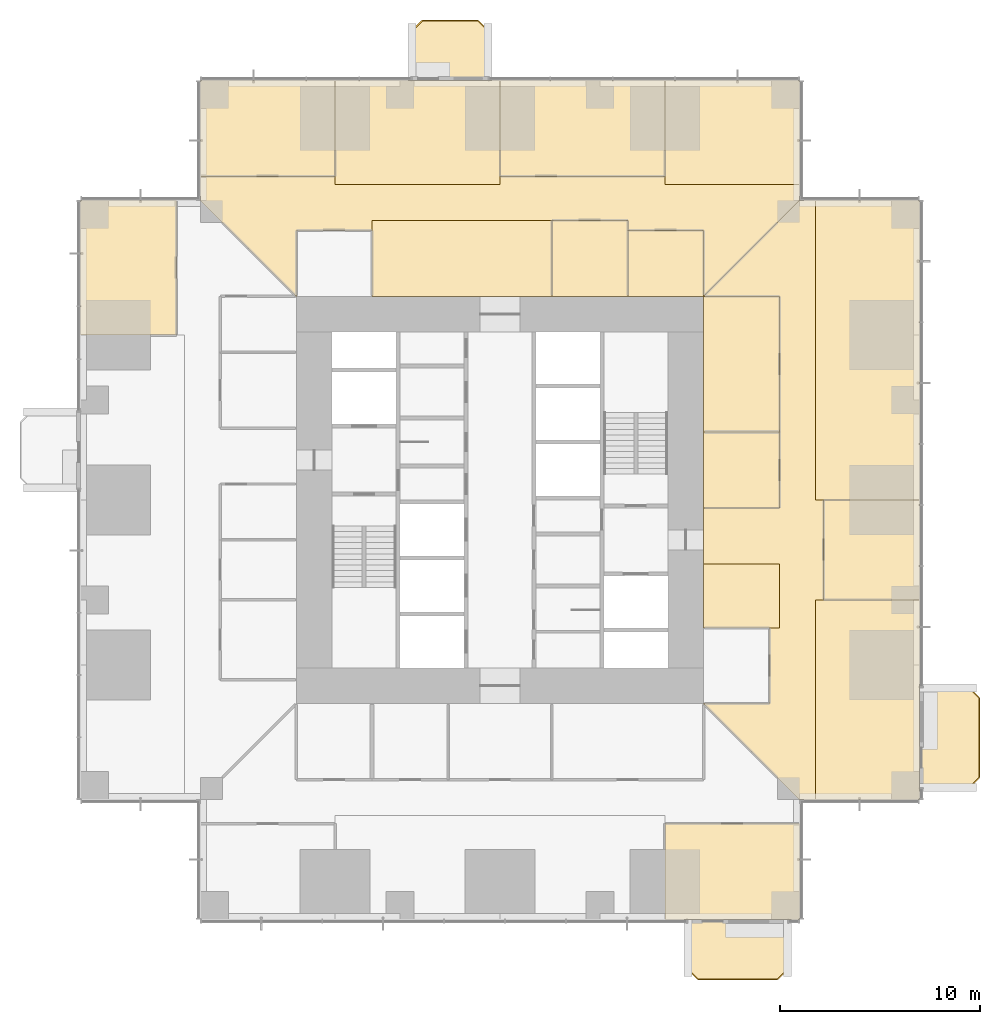
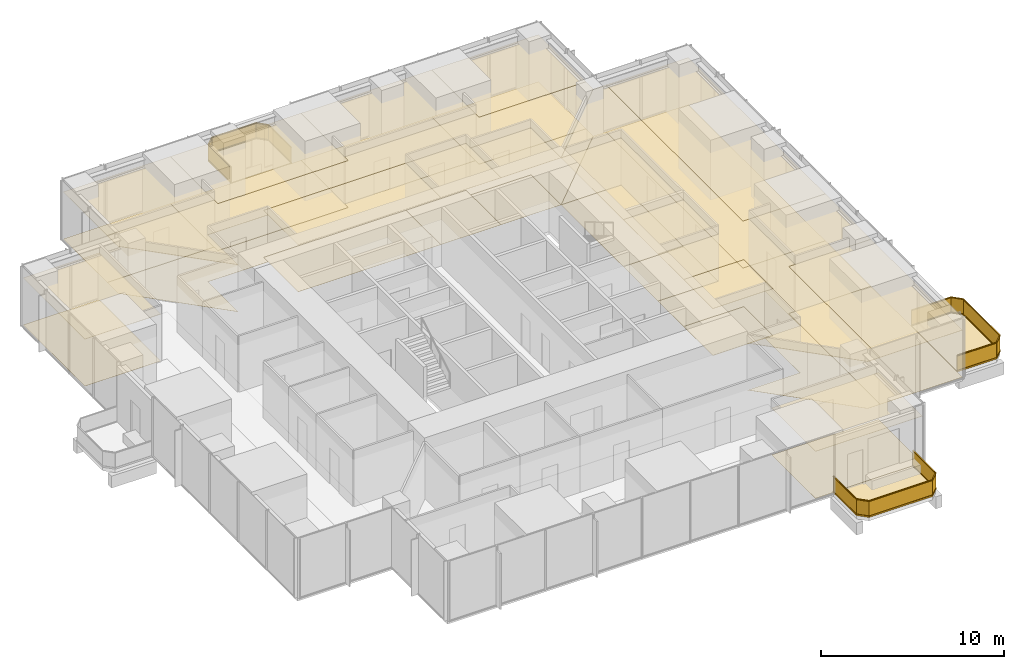
# One storey, part 14 of 15: 37 coverings, 3 railings.
"""IFC4 building model written with IfcOpenShell, lengths in metres."""

from ifc_helpers import new_model, si_unit, direction, frame, origin, origin_2d, place, context, subcontext, project, spatial, polyline, rectangle, outline, extrude, material, layer, layer_set, type_object, element, save


model = new_model("IFC4")

# Units and contexts
model_context = context("Model", 3, precision=1e-05, world=origin(), true_north=direction((0.0, 1.0)))
body_context = subcontext(model_context, "Body", "Model", "MODEL_VIEW")
ifc_project = project(units=[si_unit("LENGTHUNIT", "METRE"), si_unit("AREAUNIT", "SQUARE_METRE"), si_unit("VOLUMEUNIT", "CUBIC_METRE"), si_unit("PLANEANGLEUNIT", "RADIAN"), si_unit("MASSUNIT", "GRAM", prefix="KILO")], contexts=[model_context])

# Site, building, storey
site_placement = place(None, origin())
site = spatial("IfcSite", under=ifc_project, at=site_placement, CompositionType="ELEMENT")
building_placement = place(site_placement, origin())
building = spatial("IfcBuilding", under=site, at=building_placement, Name="Svetlomir Tower", CompositionType="ELEMENT")
storey_placement = place(building_placement, frame((0.0, 0.0, 74.5)))
storey = spatial("IfcBuildingStorey", under=building, at=storey_placement, Name="L17", CompositionType="ELEMENT", Elevation=74.5)

# Railings
ifc_material_1 = material(Name="Bronze anodised aluminium and laminated glass", Category="aluminium")
railing_type = type_object("IfcRailingType", Name="BALCONY GUARD GR1 1100", PredefinedType="GUARDRAIL", material=ifc_material_1)
railing_1_placement = place(storey_placement, frame((30.39990234375, 0.0, 0.0)))
element("IfcRailing", 1, at=railing_1_placement, inside=storey, type_object=railing_type, Name="Balcony guard S L17", PredefinedType="GUARDRAIL", context=body_context, shape_type="SweptSolid", body=[
    extrude(rectangle(XDim=0.06005859375, YDim=0.10009765625, at=origin_2d()), frame((0.0, 0.0, 0.050048828125), z_axis=(0.0, -1.0, 0.0), x_axis=(1.0, 0.0, 0.0)), (0.0, 0.0, 1.0), 2.5),
    extrude(rectangle(XDim=0.021484375, YDim=0.960205078125, at=origin_2d()), frame((0.0, 0.0, 0.580078125), z_axis=(0.0, -1.0, 0.0), x_axis=(1.0, 0.0, 0.0)), (0.0, 0.0, 1.0), 2.5),
    extrude(rectangle(XDim=0.06005859375, YDim=0.0400390625, at=origin_2d()), frame((0.0, 0.0, 1.080078125), z_axis=(0.0, -1.0, 0.0), x_axis=(1.0, 0.0, 0.0)), (0.0, 0.0, 1.0), 2.5),
    extrude(rectangle(XDim=0.06005859375, YDim=0.10009765625, at=origin_2d()), frame((0.0, -2.5, 0.050048828125), z_axis=(0.707106781187, -0.707106781187, 0.0), x_axis=(0.707106781187, 0.707106781187, 0.0)), (0.0, 0.0, 1.0), 0.70703125),
    extrude(rectangle(XDim=0.021484375, YDim=0.960205078125, at=origin_2d()), frame((0.0, -2.5, 0.580078125), z_axis=(0.707106781187, -0.707106781187, 0.0), x_axis=(0.707106781187, 0.707106781187, 0.0)), (0.0, 0.0, 1.0), 0.70703125),
    extrude(rectangle(XDim=0.06005859375, YDim=0.0400390625, at=origin_2d()), frame((0.0, -2.5, 1.080078125), z_axis=(0.707106781187, -0.707106781187, 0.0), x_axis=(0.707106781187, 0.707106781187, 0.0)), (0.0, 0.0, 1.0), 0.70703125),
    extrude(rectangle(XDim=0.06005859375, YDim=0.10009765625, at=origin_2d()), frame((0.5, -3.0, 0.050048828125), z_axis=(1.0, 0.0, 0.0), x_axis=(0.0, 1.0, 0.0)), (0.0, 0.0, 1.0), 4.0),
    extrude(rectangle(XDim=0.021484375, YDim=0.960205078125, at=origin_2d()), frame((0.5, -3.0, 0.580078125), z_axis=(1.0, 0.0, 0.0), x_axis=(0.0, 1.0, 0.0)), (0.0, 0.0, 1.0), 4.0),
    extrude(rectangle(XDim=0.06005859375, YDim=0.0400390625, at=origin_2d()), frame((0.5, -3.0, 1.080078125), z_axis=(1.0, 0.0, 0.0), x_axis=(0.0, 1.0, 0.0)), (0.0, 0.0, 1.0), 4.0),
    extrude(rectangle(XDim=0.06005859375, YDim=0.10009765625, at=origin_2d()), frame((4.5, -3.0, 0.050048828125), z_axis=(0.707106781187, 0.707106781187, 0.0), x_axis=(-0.707106781187, 0.707106781187, 0.0)), (0.0, 0.0, 1.0), 0.70703125),
    extrude(rectangle(XDim=0.021484375, YDim=0.960205078125, at=origin_2d()), frame((4.5, -3.0, 0.580078125), z_axis=(0.707106781187, 0.707106781187, 0.0), x_axis=(-0.707106781187, 0.707106781187, 0.0)), (0.0, 0.0, 1.0), 0.70703125),
    extrude(rectangle(XDim=0.06005859375, YDim=0.0400390625, at=origin_2d()), frame((4.5, -3.0, 1.080078125), z_axis=(0.707106781187, 0.707106781187, 0.0), x_axis=(-0.707106781187, 0.707106781187, 0.0)), (0.0, 0.0, 1.0), 0.70703125),
    extrude(rectangle(XDim=0.06005859375, YDim=0.10009765625, at=origin_2d()), frame((5.0, -2.5, 0.050048828125), z_axis=(0.0, 1.0, 0.0), x_axis=(-1.0, 0.0, 0.0)), (0.0, 0.0, 1.0), 2.5),
    extrude(rectangle(XDim=0.021484375, YDim=0.960205078125, at=origin_2d()), frame((5.0, -2.5, 0.580078125), z_axis=(0.0, 1.0, 0.0), x_axis=(-1.0, 0.0, 0.0)), (0.0, 0.0, 1.0), 2.5),
    extrude(rectangle(XDim=0.06005859375, YDim=0.0400390625, at=origin_2d()), frame((5.0, -2.5, 1.080078125), z_axis=(0.0, 1.0, 0.0), x_axis=(-1.0, 0.0, 0.0)), (0.0, 0.0, 1.0), 2.5),
])
railing_2_placement = place(storey_placement, frame((42.0, 6.60009765625, 0.0)))
element("IfcRailing", 2, at=railing_2_placement, inside=storey, type_object=railing_type, Name="Balcony guard E L17", PredefinedType="GUARDRAIL", context=body_context, shape_type="SweptSolid", body=[
    extrude(rectangle(XDim=0.06005859375, YDim=0.10009765625, at=origin_2d()), frame((0.0, 0.0, 0.050048828125), z_axis=(1.0, 0.0, 0.0), x_axis=(0.0, 1.0, 0.0)), (0.0, 0.0, 1.0), 2.5),
    extrude(rectangle(XDim=0.021484375, YDim=0.960205078125, at=origin_2d()), frame((0.0, 0.0, 0.580078125), z_axis=(1.0, 0.0, 0.0), x_axis=(0.0, 1.0, 0.0)), (0.0, 0.0, 1.0), 2.5),
    extrude(rectangle(XDim=0.06005859375, YDim=0.0400390625, at=origin_2d()), frame((0.0, 0.0, 1.080078125), z_axis=(1.0, 0.0, 0.0), x_axis=(0.0, 1.0, 0.0)), (0.0, 0.0, 1.0), 2.5),
    extrude(rectangle(XDim=0.06005859375, YDim=0.10009765625, at=origin_2d()), frame((2.5, 0.0, 0.050048828125), z_axis=(0.707106781187, 0.707106781187, 0.0), x_axis=(-0.707106781187, 0.707106781187, 0.0)), (0.0, 0.0, 1.0), 0.70703125),
    extrude(rectangle(XDim=0.021484375, YDim=0.960205078125, at=origin_2d()), frame((2.5, 0.0, 0.580078125), z_axis=(0.707106781187, 0.707106781187, 0.0), x_axis=(-0.707106781187, 0.707106781187, 0.0)), (0.0, 0.0, 1.0), 0.70703125),
    extrude(rectangle(XDim=0.06005859375, YDim=0.0400390625, at=origin_2d()), frame((2.5, 0.0, 1.080078125), z_axis=(0.707106781187, 0.707106781187, 0.0), x_axis=(-0.707106781187, 0.707106781187, 0.0)), (0.0, 0.0, 1.0), 0.70703125),
    extrude(rectangle(XDim=0.06005859375, YDim=0.10009765625, at=origin_2d()), frame((3.0, 0.5, 0.050048828125), z_axis=(0.0, 1.0, 0.0), x_axis=(-1.0, 0.0, 0.0)), (0.0, 0.0, 1.0), 4.0),
    extrude(rectangle(XDim=0.021484375, YDim=0.960205078125, at=origin_2d()), frame((3.0, 0.5, 0.580078125), z_axis=(0.0, 1.0, 0.0), x_axis=(-1.0, 0.0, 0.0)), (0.0, 0.0, 1.0), 4.0),
    extrude(rectangle(XDim=0.06005859375, YDim=0.0400390625, at=origin_2d()), frame((3.0, 0.5, 1.080078125), z_axis=(0.0, 1.0, 0.0), x_axis=(-1.0, 0.0, 0.0)), (0.0, 0.0, 1.0), 4.0),
    extrude(rectangle(XDim=0.06005859375, YDim=0.10009765625, at=origin_2d()), frame((3.0, 4.5, 0.050048828125), z_axis=(-0.707106781187, 0.707106781187, 0.0), x_axis=(-0.707106781187, -0.707106781187, 0.0)), (0.0, 0.0, 1.0), 0.70703125),
    extrude(rectangle(XDim=0.021484375, YDim=0.960205078125, at=origin_2d()), frame((3.0, 4.5, 0.580078125), z_axis=(-0.707106781187, 0.707106781187, 0.0), x_axis=(-0.707106781187, -0.707106781187, 0.0)), (0.0, 0.0, 1.0), 0.70703125),
    extrude(rectangle(XDim=0.06005859375, YDim=0.0400390625, at=origin_2d()), frame((3.0, 4.5, 1.080078125), z_axis=(-0.707106781187, 0.707106781187, 0.0), x_axis=(-0.707106781187, -0.707106781187, 0.0)), (0.0, 0.0, 1.0), 0.70703125),
    extrude(rectangle(XDim=0.06005859375, YDim=0.10009765625, at=origin_2d()), frame((2.5, 5.0, 0.050048828125), z_axis=(-1.0, 0.0, 0.0), x_axis=(0.0, -1.0, 0.0)), (0.0, 0.0, 1.0), 2.5),
    extrude(rectangle(XDim=0.021484375, YDim=0.960205078125, at=origin_2d()), frame((2.5, 5.0, 0.580078125), z_axis=(-1.0, 0.0, 0.0), x_axis=(0.0, -1.0, 0.0)), (0.0, 0.0, 1.0), 2.5),
    extrude(rectangle(XDim=0.06005859375, YDim=0.0400390625, at=origin_2d()), frame((2.5, 5.0, 1.080078125), z_axis=(-1.0, 0.0, 0.0), x_axis=(0.0, -1.0, 0.0)), (0.0, 0.0, 1.0), 2.5),
])
railing_3_placement = place(storey_placement, frame((20.39990234375, 42.0, 0.0)))
element("IfcRailing", 3, at=railing_3_placement, inside=storey, type_object=railing_type, Name="Balcony guard N L17", PredefinedType="GUARDRAIL", context=body_context, shape_type="SweptSolid", body=[
    extrude(rectangle(XDim=0.06005859375, YDim=0.10009765625, at=origin_2d()), frame((0.0, 0.0, 0.050048828125), z_axis=(0.0, 1.0, 0.0), x_axis=(-1.0, 0.0, 0.0)), (0.0, 0.0, 1.0), 2.5),
    extrude(rectangle(XDim=0.021484375, YDim=0.960205078125, at=origin_2d()), frame((0.0, 0.0, 0.580078125), z_axis=(0.0, 1.0, 0.0), x_axis=(-1.0, 0.0, 0.0)), (0.0, 0.0, 1.0), 2.5),
    extrude(rectangle(XDim=0.06005859375, YDim=0.0400390625, at=origin_2d()), frame((0.0, 0.0, 1.080078125), z_axis=(0.0, 1.0, 0.0), x_axis=(-1.0, 0.0, 0.0)), (0.0, 0.0, 1.0), 2.5),
    extrude(rectangle(XDim=0.06005859375, YDim=0.10009765625, at=origin_2d()), frame((0.0, 2.5, 0.050048828125), z_axis=(-0.707106781187, 0.707106781187, 0.0), x_axis=(-0.707106781187, -0.707106781187, 0.0)), (0.0, 0.0, 1.0), 0.70703125),
    extrude(rectangle(XDim=0.021484375, YDim=0.960205078125, at=origin_2d()), frame((0.0, 2.5, 0.580078125), z_axis=(-0.707106781187, 0.707106781187, 0.0), x_axis=(-0.707106781187, -0.707106781187, 0.0)), (0.0, 0.0, 1.0), 0.70703125),
    extrude(rectangle(XDim=0.06005859375, YDim=0.0400390625, at=origin_2d()), frame((0.0, 2.5, 1.080078125), z_axis=(-0.707106781187, 0.707106781187, 0.0), x_axis=(-0.707106781187, -0.707106781187, 0.0)), (0.0, 0.0, 1.0), 0.70703125),
    extrude(rectangle(XDim=0.06005859375, YDim=0.10009765625, at=origin_2d()), frame((-0.5, 3.0, 0.050048828125), z_axis=(-1.0, 0.0, 0.0), x_axis=(0.0, -1.0, 0.0)), (0.0, 0.0, 1.0), 2.7998046875),
    extrude(rectangle(XDim=0.021484375, YDim=0.960205078125, at=origin_2d()), frame((-0.5, 3.0, 0.580078125), z_axis=(-1.0, 0.0, 0.0), x_axis=(0.0, -1.0, 0.0)), (0.0, 0.0, 1.0), 2.7998046875),
    extrude(rectangle(XDim=0.06005859375, YDim=0.0400390625, at=origin_2d()), frame((-0.5, 3.0, 1.080078125), z_axis=(-1.0, 0.0, 0.0), x_axis=(0.0, -1.0, 0.0)), (0.0, 0.0, 1.0), 2.7998046875),
    extrude(rectangle(XDim=0.06005859375, YDim=0.10009765625, at=origin_2d()), frame((-3.2998046875, 3.0, 0.050048828125), z_axis=(-0.707106781187, -0.707106781187, 0.0), x_axis=(0.707106781187, -0.707106781187, 0.0)), (0.0, 0.0, 1.0), 0.70703125),
    extrude(rectangle(XDim=0.021484375, YDim=0.960205078125, at=origin_2d()), frame((-3.2998046875, 3.0, 0.580078125), z_axis=(-0.707106781187, -0.707106781187, 0.0), x_axis=(0.707106781187, -0.707106781187, 0.0)), (0.0, 0.0, 1.0), 0.70703125),
    extrude(rectangle(XDim=0.06005859375, YDim=0.0400390625, at=origin_2d()), frame((-3.2998046875, 3.0, 1.080078125), z_axis=(-0.707106781187, -0.707106781187, 0.0), x_axis=(0.707106781187, -0.707106781187, 0.0)), (0.0, 0.0, 1.0), 0.70703125),
    extrude(rectangle(XDim=0.06005859375, YDim=0.10009765625, at=origin_2d()), frame((-3.7998046875, 2.5, 0.050048828125), z_axis=(0.0, -1.0, 0.0), x_axis=(1.0, 0.0, 0.0)), (0.0, 0.0, 1.0), 2.5),
    extrude(rectangle(XDim=0.021484375, YDim=0.960205078125, at=origin_2d()), frame((-3.7998046875, 2.5, 0.580078125), z_axis=(0.0, -1.0, 0.0), x_axis=(1.0, 0.0, 0.0)), (0.0, 0.0, 1.0), 2.5),
    extrude(rectangle(XDim=0.06005859375, YDim=0.0400390625, at=origin_2d()), frame((-3.7998046875, 2.5, 1.080078125), z_axis=(0.0, -1.0, 0.0), x_axis=(1.0, 0.0, 0.0)), (0.0, 0.0, 1.0), 2.5),
])

# Coverings
ifc_material_2 = material(Name="Granite paving slabs on pedestals", Category="masonry")
ifc_layer_1 = layer(ifc_material_2, 0.0400390625)
ifc_layer_set_1 = layer_set([ifc_layer_1], Name="Granite paving slabs on pedestals")
covering_type_1 = type_object("IfcCoveringType", Name="BALCONY PAVING 40", PredefinedType="USERDEFINED", material=ifc_layer_set_1)
covering_1_placement = place(storey_placement, origin())
element("IfcCovering", 4, at=covering_1_placement, inside=storey, type_object=covering_type_1, Name="Balcony paving S L17", ObjectType="BALCONY PAVING", PredefinedType="USERDEFINED", context=body_context, shape_type="SweptSolid", body=[
    extrude(outline(polyline([(30.39990234375, -2.5), (30.89990234375, -3.0), (34.89990234375, -3.0), (35.39990234375, -2.5), (35.39990234375, 0.0), (30.39990234375, 0.0), (30.39990234375, -2.5)])), origin(), (0.0, 0.0, 1.0), 0.0400390625),
])
covering_2_placement = place(storey_placement, origin())
element("IfcCovering", 5, at=covering_2_placement, inside=storey, type_object=covering_type_1, Name="Balcony paving E L17", ObjectType="BALCONY PAVING", PredefinedType="USERDEFINED", context=body_context, shape_type="SweptSolid", body=[
    extrude(outline(polyline([(42.0, 6.60009765625), (44.5, 6.60009765625), (45.0, 7.10009765625), (45.0, 11.10009765625), (44.5, 11.60009765625), (42.0, 11.60009765625), (42.0, 6.60009765625)])), origin(), (0.0, 0.0, 1.0), 0.0400390625),
])
covering_3_placement = place(storey_placement, origin())
element("IfcCovering", 6, at=covering_3_placement, inside=storey, type_object=covering_type_1, Name="Balcony paving N L17", ObjectType="BALCONY PAVING", PredefinedType="USERDEFINED", context=body_context, shape_type="SweptSolid", body=[
    extrude(outline(polyline([(16.60009765625, 42.0), (20.39990234375, 42.0), (20.39990234375, 44.5), (19.89990234375, 45.0), (17.10009765625, 45.0), (16.60009765625, 44.5), (16.60009765625, 42.0)])), origin(), (0.0, 0.0, 1.0), 0.0400390625),
])
ifc_material_3 = material(Name="Carpet tile", Category="textile")
ifc_layer_2 = layer(ifc_material_3, 0.010009765625)
ifc_layer_set_2 = layer_set([ifc_layer_2], Name="Carpet tile")
covering_type_2 = type_object("IfcCoveringType", Name="CARPET TILE FLOOR 10", PredefinedType="FLOORING", material=ifc_layer_set_2)
covering_4_placement = place(storey_placement, origin())
element("IfcCovering", 7, at=covering_4_placement, inside=storey, type_object=covering_type_2, Name="Floor finish L17-18", PredefinedType="FLOORING", context=body_context, shape_type="SweptSolid", body=[
    extrude(outline(polyline([(29.25, 0.0), (36.0, 0.0), (36.0, 4.800048828125), (29.25, 4.800048828125), (29.25, 0.0)])), origin(), (0.0, 0.0, 1.0), 0.010009765625),
])
covering_5_placement = place(storey_placement, origin())
element("IfcCovering", 8, at=covering_5_placement, inside=storey, type_object=covering_type_2, Name="Floor finish L17-20", PredefinedType="FLOORING", context=body_context, shape_type="SweptSolid", body=[
    extrude(outline(polyline([(31.199951171875, 20.60009765625), (35.0, 20.60009765625), (35.0, 24.39990234375), (31.199951171875, 24.39990234375), (31.199951171875, 20.60009765625)])), origin(), (0.0, 0.0, 1.0), 0.010009765625),
])
covering_6_placement = place(storey_placement, origin())
element("IfcCovering", 9, at=covering_6_placement, inside=storey, type_object=covering_type_2, Name="Floor finish L17-21", PredefinedType="FLOORING", context=body_context, shape_type="SweptSolid", body=[
    extrude(outline(polyline([(31.199951171875, 24.39990234375), (35.0, 24.39990234375), (35.0, 31.199951171875), (31.199951171875, 31.199951171875), (31.199951171875, 24.39990234375)])), origin(), (0.0, 0.0, 1.0), 0.010009765625),
])
covering_7_placement = place(storey_placement, origin())
element("IfcCovering", 10, at=covering_7_placement, inside=storey, type_object=covering_type_2, Name="Floor finish L17-22", PredefinedType="FLOORING", context=body_context, shape_type="SweptSolid", body=[
    extrude(outline(polyline([(37.199951171875, 16.0), (42.0, 16.0), (42.0, 21.0), (37.199951171875, 21.0), (37.199951171875, 16.0)])), origin(), (0.0, 0.0, 1.0), 0.010009765625),
])
covering_8_placement = place(storey_placement, origin())
element("IfcCovering", 11, at=covering_8_placement, inside=storey, type_object=covering_type_2, Name="Floor finish L17-24", PredefinedType="FLOORING", context=body_context, shape_type="SweptSolid", body=[
    extrude(outline(polyline([(23.60009765625, 31.199951171875), (27.39990234375, 31.199951171875), (27.39990234375, 35.0), (23.60009765625, 35.0), (23.60009765625, 31.199951171875)])), origin(), (0.0, 0.0, 1.0), 0.010009765625),
])
covering_9_placement = place(storey_placement, origin())
element("IfcCovering", 12, at=covering_9_placement, inside=storey, type_object=covering_type_2, Name="Floor finish L17-25", PredefinedType="FLOORING", context=body_context, shape_type="SweptSolid", body=[
    extrude(outline(polyline([(27.39990234375, 31.199951171875), (31.199951171875, 31.199951171875), (31.199951171875, 34.5), (27.39990234375, 34.5), (27.39990234375, 31.199951171875)])), origin(), (0.0, 0.0, 1.0), 0.010009765625),
])
covering_10_placement = place(storey_placement, origin())
element("IfcCovering", 13, at=covering_10_placement, inside=storey, type_object=covering_type_2, Name="Floor finish L17-26", PredefinedType="FLOORING", context=body_context, shape_type="SweptSolid", body=[
    extrude(outline(polyline([(6.0, 37.199951171875), (12.75, 37.199951171875), (12.75, 42.0), (6.0, 42.0), (6.0, 37.199951171875)])), origin(), (0.0, 0.0, 1.0), 0.010009765625),
])
covering_11_placement = place(storey_placement, origin())
element("IfcCovering", 14, at=covering_11_placement, inside=storey, type_object=covering_type_2, Name="Floor finish L17-27", PredefinedType="FLOORING", context=body_context, shape_type="SweptSolid", body=[
    extrude(outline(polyline([(21.0, 37.199951171875), (29.25, 37.199951171875), (29.25, 42.0), (21.0, 42.0), (21.0, 37.199951171875)])), origin(), (0.0, 0.0, 1.0), 0.010009765625),
])
covering_12_placement = place(storey_placement, origin())
element("IfcCovering", 15, at=covering_12_placement, inside=storey, type_object=covering_type_2, Name="Floor finish L17-31", PredefinedType="FLOORING", context=body_context, shape_type="SweptSolid", body=[
    extrude(outline(polyline([(0.0, 29.25), (4.800048828125, 29.25), (4.800048828125, 36.0), (0.0, 36.0), (0.0, 29.25)])), origin(), (0.0, 0.0, 1.0), 0.010009765625),
])
covering_13_placement = place(storey_placement, origin())
element("IfcCovering", 16, at=covering_13_placement, inside=storey, type_object=covering_type_2, Name="Floor finish L17-33", PredefinedType="FLOORING", context=body_context, shape_type="SweptSolid", body=[
    extrude(outline(polyline([(31.199951171875, 20.60009765625), (35.0, 20.60009765625), (35.0, 31.199951171875), (31.199951171875, 31.199951171875), (36.0, 36.0), (36.800048828125, 36.0), (36.800048828125, 21.0), (37.199951171875, 21.0), (37.199951171875, 16.0), (36.800048828125, 16.0), (36.800048828125, 6.0), (36.0, 6.0), (31.199951171875, 10.800048828125), (34.5, 10.800048828125), (34.5, 14.60009765625), (35.0, 14.60009765625), (35.0, 17.800048828125), (31.199951171875, 17.800048828125), (31.199951171875, 20.60009765625)])), origin(), (0.0, 0.0, 1.0), 0.010009765625),
])
covering_14_placement = place(storey_placement, origin())
element("IfcCovering", 17, at=covering_14_placement, inside=storey, type_object=covering_type_2, Name="Floor finish L17-34", PredefinedType="FLOORING", context=body_context, shape_type="SweptSolid", body=[
    extrude(outline(polyline([(6.0, 37.199951171875), (12.75, 37.199951171875), (12.75, 36.800048828125), (21.0, 36.800048828125), (21.0, 37.199951171875), (29.25, 37.199951171875), (29.25, 36.800048828125), (36.0, 36.800048828125), (36.0, 36.0), (31.199951171875, 31.199951171875), (31.199951171875, 34.5), (27.39990234375, 34.5), (27.39990234375, 35.0), (14.60009765625, 35.0), (14.60009765625, 34.5), (10.800048828125, 34.5), (10.800048828125, 31.199951171875), (6.0, 36.0), (6.0, 37.199951171875)])), origin(), (0.0, 0.0, 1.0), 0.010009765625),
])
covering_15_placement = place(storey_placement, origin())
element("IfcCovering", 18, at=covering_15_placement, inside=storey, type_object=covering_type_2, Name="Floor finish L17-38", PredefinedType="FLOORING", context=body_context, shape_type="SweptSolid", body=[
    extrude(outline(polyline([(42.0, 21.0), (36.800048828125, 21.0), (36.800048828125, 36.0), (42.0, 36.0), (42.0, 21.0)])), origin(), (0.0, 0.0, 1.0), 0.010009765625),
])
covering_16_placement = place(storey_placement, origin())
element("IfcCovering", 19, at=covering_16_placement, inside=storey, type_object=covering_type_2, Name="Floor finish L17-39", PredefinedType="FLOORING", context=body_context, shape_type="SweptSolid", body=[
    extrude(outline(polyline([(42.0, 6.0), (36.800048828125, 6.0), (36.800048828125, 16.0), (42.0, 16.0), (42.0, 6.0)])), origin(), (0.0, 0.0, 1.0), 0.010009765625),
])
covering_17_placement = place(storey_placement, origin())
element("IfcCovering", 20, at=covering_17_placement, inside=storey, type_object=covering_type_2, Name="Floor finish L17-40", PredefinedType="FLOORING", context=body_context, shape_type="SweptSolid", body=[
    extrude(outline(polyline([(31.199951171875, 14.60009765625), (31.199951171875, 17.800048828125), (35.0, 17.800048828125), (35.0, 14.60009765625), (31.199951171875, 14.60009765625)])), origin(), (0.0, 0.0, 1.0), 0.010009765625),
])
covering_18_placement = place(storey_placement, origin())
element("IfcCovering", 21, at=covering_18_placement, inside=storey, type_object=covering_type_2, Name="Floor finish L17-41", PredefinedType="FLOORING", context=body_context, shape_type="SweptSolid", body=[
    extrude(outline(polyline([(21.0, 42.0), (21.0, 36.800048828125), (12.75, 36.800048828125), (12.75, 42.0), (21.0, 42.0)])), origin(), (0.0, 0.0, 1.0), 0.010009765625),
])
covering_19_placement = place(storey_placement, origin())
element("IfcCovering", 22, at=covering_19_placement, inside=storey, type_object=covering_type_2, Name="Floor finish L17-42", PredefinedType="FLOORING", context=body_context, shape_type="SweptSolid", body=[
    extrude(outline(polyline([(36.0, 42.0), (36.0, 36.800048828125), (29.25, 36.800048828125), (29.25, 42.0), (36.0, 42.0)])), origin(), (0.0, 0.0, 1.0), 0.010009765625),
])
covering_20_placement = place(storey_placement, origin())
element("IfcCovering", 23, at=covering_20_placement, inside=storey, type_object=covering_type_2, Name="Floor finish L17-43", PredefinedType="FLOORING", context=body_context, shape_type="SweptSolid", body=[
    extrude(outline(polyline([(14.60009765625, 31.199951171875), (14.60009765625, 35.0), (23.60009765625, 35.0), (23.60009765625, 31.199951171875), (14.60009765625, 31.199951171875)])), origin(), (0.0, 0.0, 1.0), 0.010009765625),
])
ifc_material_4 = material(Name="Mineral fibre ceiling tile", Category="mineral")
ifc_layer_3 = layer(ifc_material_4, 0.02001953125)
ifc_layer_set_3 = layer_set([ifc_layer_3], Name="Mineral fibre ceiling tile")
covering_type_3 = type_object("IfcCoveringType", Name="SUSPENDED CEILING 20", PredefinedType="CEILING", material=ifc_layer_set_3)
covering_21_placement = place(storey_placement, frame((0.0, 0.0, 3.1298828125)))
element("IfcCovering", 24, at=covering_21_placement, inside=storey, type_object=covering_type_3, Name="Ceiling L17-18", PredefinedType="CEILING", context=body_context, shape_type="SweptSolid", body=[
    extrude(outline(polyline([(29.25, 0.0), (36.0, 0.0), (36.0, 4.800048828125), (29.25, 4.800048828125), (29.25, 0.0)])), origin(), (0.0, 0.0, 1.0), 0.02001953125),
])
covering_22_placement = place(storey_placement, frame((0.0, 0.0, 3.1298828125)))
element("IfcCovering", 25, at=covering_22_placement, inside=storey, type_object=covering_type_3, Name="Ceiling L17-20", PredefinedType="CEILING", context=body_context, shape_type="SweptSolid", body=[
    extrude(outline(polyline([(31.199951171875, 20.60009765625), (35.0, 20.60009765625), (35.0, 24.39990234375), (31.199951171875, 24.39990234375), (31.199951171875, 20.60009765625)])), origin(), (0.0, 0.0, 1.0), 0.02001953125),
])
covering_23_placement = place(storey_placement, frame((0.0, 0.0, 3.1298828125)))
element("IfcCovering", 26, at=covering_23_placement, inside=storey, type_object=covering_type_3, Name="Ceiling L17-21", PredefinedType="CEILING", context=body_context, shape_type="SweptSolid", body=[
    extrude(outline(polyline([(31.199951171875, 24.39990234375), (35.0, 24.39990234375), (35.0, 31.199951171875), (31.199951171875, 31.199951171875), (31.199951171875, 24.39990234375)])), origin(), (0.0, 0.0, 1.0), 0.02001953125),
])
covering_24_placement = place(storey_placement, frame((0.0, 0.0, 3.1298828125)))
element("IfcCovering", 27, at=covering_24_placement, inside=storey, type_object=covering_type_3, Name="Ceiling L17-22", PredefinedType="CEILING", context=body_context, shape_type="SweptSolid", body=[
    extrude(outline(polyline([(37.199951171875, 16.0), (42.0, 16.0), (42.0, 21.0), (37.199951171875, 21.0), (37.199951171875, 16.0)])), origin(), (0.0, 0.0, 1.0), 0.02001953125),
])
covering_25_placement = place(storey_placement, frame((0.0, 0.0, 3.1298828125)))
element("IfcCovering", 28, at=covering_25_placement, inside=storey, type_object=covering_type_3, Name="Ceiling L17-24", PredefinedType="CEILING", context=body_context, shape_type="SweptSolid", body=[
    extrude(outline(polyline([(23.60009765625, 31.199951171875), (27.39990234375, 31.199951171875), (27.39990234375, 35.0), (23.60009765625, 35.0), (23.60009765625, 31.199951171875)])), origin(), (0.0, 0.0, 1.0), 0.02001953125),
])
covering_26_placement = place(storey_placement, frame((0.0, 0.0, 3.1298828125)))
element("IfcCovering", 29, at=covering_26_placement, inside=storey, type_object=covering_type_3, Name="Ceiling L17-25", PredefinedType="CEILING", context=body_context, shape_type="SweptSolid", body=[
    extrude(outline(polyline([(27.39990234375, 31.199951171875), (31.199951171875, 31.199951171875), (31.199951171875, 34.5), (27.39990234375, 34.5), (27.39990234375, 31.199951171875)])), origin(), (0.0, 0.0, 1.0), 0.02001953125),
])
covering_27_placement = place(storey_placement, frame((0.0, 0.0, 3.1298828125)))
element("IfcCovering", 30, at=covering_27_placement, inside=storey, type_object=covering_type_3, Name="Ceiling L17-26", PredefinedType="CEILING", context=body_context, shape_type="SweptSolid", body=[
    extrude(outline(polyline([(6.0, 37.199951171875), (12.75, 37.199951171875), (12.75, 42.0), (6.0, 42.0), (6.0, 37.199951171875)])), origin(), (0.0, 0.0, 1.0), 0.02001953125),
])
covering_28_placement = place(storey_placement, frame((0.0, 0.0, 3.1298828125)))
element("IfcCovering", 31, at=covering_28_placement, inside=storey, type_object=covering_type_3, Name="Ceiling L17-27", PredefinedType="CEILING", context=body_context, shape_type="SweptSolid", body=[
    extrude(outline(polyline([(21.0, 37.199951171875), (29.25, 37.199951171875), (29.25, 42.0), (21.0, 42.0), (21.0, 37.199951171875)])), origin(), (0.0, 0.0, 1.0), 0.02001953125),
])
covering_29_placement = place(storey_placement, frame((0.0, 0.0, 3.1298828125)))
element("IfcCovering", 32, at=covering_29_placement, inside=storey, type_object=covering_type_3, Name="Ceiling L17-31", PredefinedType="CEILING", context=body_context, shape_type="SweptSolid", body=[
    extrude(outline(polyline([(0.0, 29.25), (4.800048828125, 29.25), (4.800048828125, 36.0), (0.0, 36.0), (0.0, 29.25)])), origin(), (0.0, 0.0, 1.0), 0.02001953125),
])
covering_30_placement = place(storey_placement, frame((0.0, 0.0, 3.1298828125)))
element("IfcCovering", 33, at=covering_30_placement, inside=storey, type_object=covering_type_3, Name="Ceiling L17-33", PredefinedType="CEILING", context=body_context, shape_type="SweptSolid", body=[
    extrude(outline(polyline([(31.199951171875, 20.60009765625), (35.0, 20.60009765625), (35.0, 31.199951171875), (31.199951171875, 31.199951171875), (36.0, 36.0), (36.800048828125, 36.0), (36.800048828125, 21.0), (37.199951171875, 21.0), (37.199951171875, 16.0), (36.800048828125, 16.0), (36.800048828125, 6.0), (36.0, 6.0), (31.199951171875, 10.800048828125), (34.5, 10.800048828125), (34.5, 14.60009765625), (35.0, 14.60009765625), (35.0, 17.800048828125), (31.199951171875, 17.800048828125), (31.199951171875, 20.60009765625)])), origin(), (0.0, 0.0, 1.0), 0.02001953125),
])
covering_31_placement = place(storey_placement, frame((0.0, 0.0, 3.1298828125)))
element("IfcCovering", 34, at=covering_31_placement, inside=storey, type_object=covering_type_3, Name="Ceiling L17-34", PredefinedType="CEILING", context=body_context, shape_type="SweptSolid", body=[
    extrude(outline(polyline([(6.0, 37.199951171875), (12.75, 37.199951171875), (12.75, 36.800048828125), (21.0, 36.800048828125), (21.0, 37.199951171875), (29.25, 37.199951171875), (29.25, 36.800048828125), (36.0, 36.800048828125), (36.0, 36.0), (31.199951171875, 31.199951171875), (31.199951171875, 34.5), (27.39990234375, 34.5), (27.39990234375, 35.0), (14.60009765625, 35.0), (14.60009765625, 34.5), (10.800048828125, 34.5), (10.800048828125, 31.199951171875), (6.0, 36.0), (6.0, 37.199951171875)])), origin(), (0.0, 0.0, 1.0), 0.02001953125),
])
covering_32_placement = place(storey_placement, frame((0.0, 0.0, 3.1298828125)))
element("IfcCovering", 35, at=covering_32_placement, inside=storey, type_object=covering_type_3, Name="Ceiling L17-38", PredefinedType="CEILING", context=body_context, shape_type="SweptSolid", body=[
    extrude(outline(polyline([(42.0, 21.0), (36.800048828125, 21.0), (36.800048828125, 36.0), (42.0, 36.0), (42.0, 21.0)])), origin(), (0.0, 0.0, 1.0), 0.02001953125),
])
covering_33_placement = place(storey_placement, frame((0.0, 0.0, 3.1298828125)))
element("IfcCovering", 36, at=covering_33_placement, inside=storey, type_object=covering_type_3, Name="Ceiling L17-39", PredefinedType="CEILING", context=body_context, shape_type="SweptSolid", body=[
    extrude(outline(polyline([(42.0, 6.0), (36.800048828125, 6.0), (36.800048828125, 16.0), (42.0, 16.0), (42.0, 6.0)])), origin(), (0.0, 0.0, 1.0), 0.02001953125),
])
covering_34_placement = place(storey_placement, frame((0.0, 0.0, 3.1298828125)))
element("IfcCovering", 37, at=covering_34_placement, inside=storey, type_object=covering_type_3, Name="Ceiling L17-40", PredefinedType="CEILING", context=body_context, shape_type="SweptSolid", body=[
    extrude(outline(polyline([(31.199951171875, 14.60009765625), (31.199951171875, 17.800048828125), (35.0, 17.800048828125), (35.0, 14.60009765625), (31.199951171875, 14.60009765625)])), origin(), (0.0, 0.0, 1.0), 0.02001953125),
])
covering_35_placement = place(storey_placement, frame((0.0, 0.0, 3.1298828125)))
element("IfcCovering", 38, at=covering_35_placement, inside=storey, type_object=covering_type_3, Name="Ceiling L17-41", PredefinedType="CEILING", context=body_context, shape_type="SweptSolid", body=[
    extrude(outline(polyline([(21.0, 42.0), (21.0, 36.800048828125), (12.75, 36.800048828125), (12.75, 42.0), (21.0, 42.0)])), origin(), (0.0, 0.0, 1.0), 0.02001953125),
])
covering_36_placement = place(storey_placement, frame((0.0, 0.0, 3.1298828125)))
element("IfcCovering", 39, at=covering_36_placement, inside=storey, type_object=covering_type_3, Name="Ceiling L17-42", PredefinedType="CEILING", context=body_context, shape_type="SweptSolid", body=[
    extrude(outline(polyline([(36.0, 42.0), (36.0, 36.800048828125), (29.25, 36.800048828125), (29.25, 42.0), (36.0, 42.0)])), origin(), (0.0, 0.0, 1.0), 0.02001953125),
])
covering_37_placement = place(storey_placement, frame((0.0, 0.0, 3.1298828125)))
element("IfcCovering", 40, at=covering_37_placement, inside=storey, type_object=covering_type_3, Name="Ceiling L17-43", PredefinedType="CEILING", context=body_context, shape_type="SweptSolid", body=[
    extrude(outline(polyline([(14.60009765625, 31.199951171875), (14.60009765625, 35.0), (23.60009765625, 35.0), (23.60009765625, 31.199951171875), (14.60009765625, 31.199951171875)])), origin(), (0.0, 0.0, 1.0), 0.02001953125),
])

save(model, "model.ifc")
